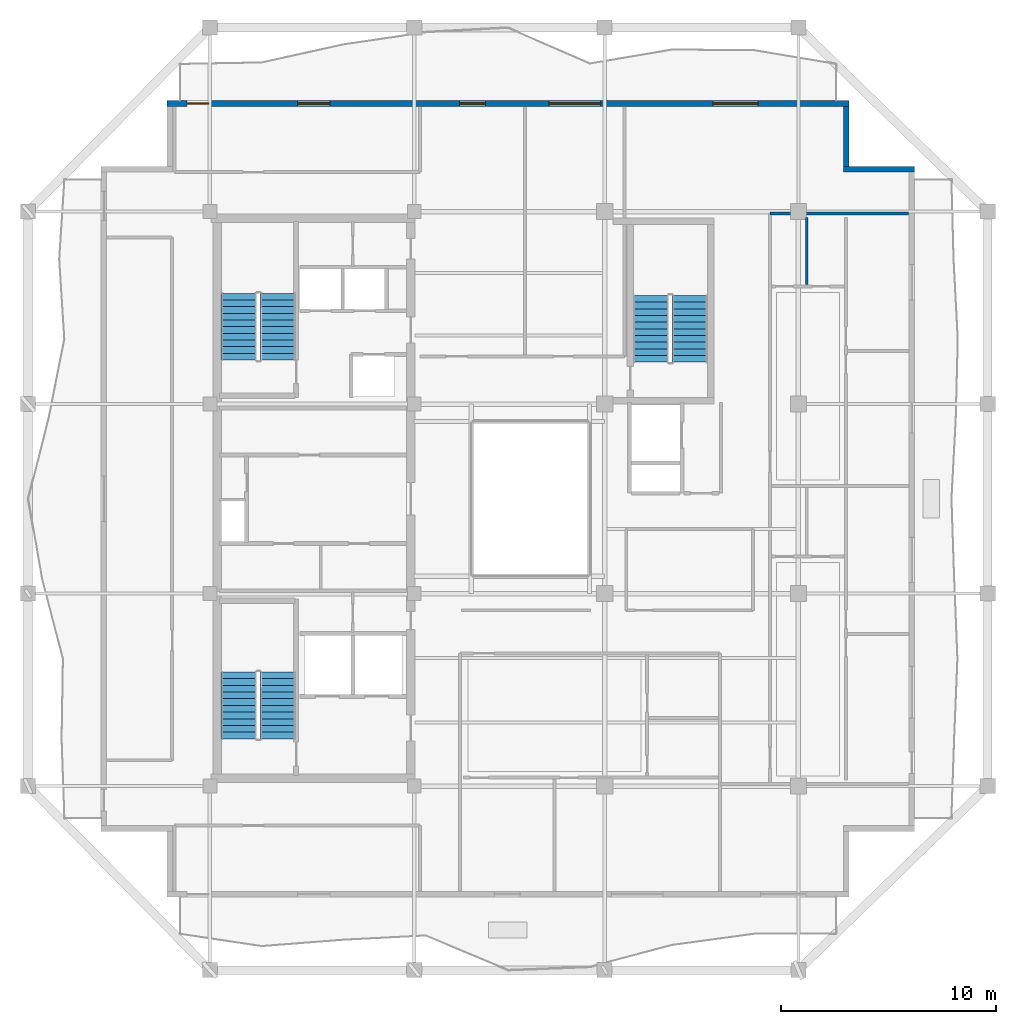
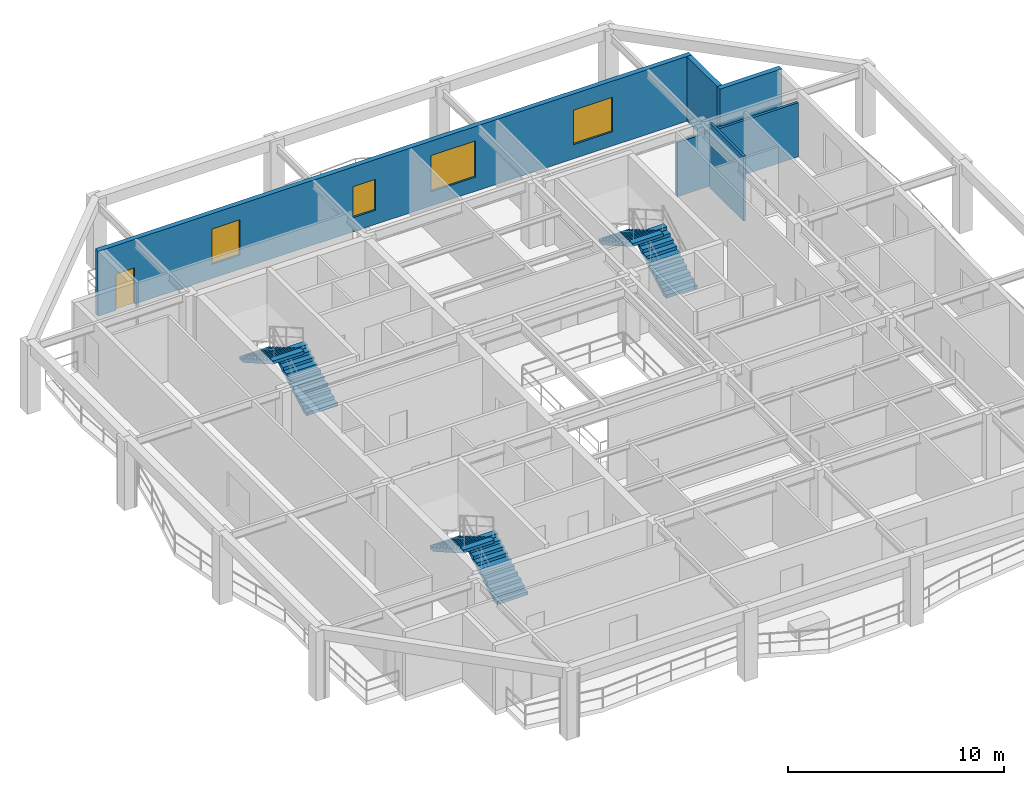
# One storey, part 6 of 10: 6 stair flights, 5 walls, 4 windows, 1 door, 5 openings, 3 elements without a shape of their own.
"""IFC4 building model written with IfcOpenShell, lengths in metres."""

from ifc_helpers import new_model, si_unit, direction, frame, frame_2d, origin, place, context, subcontext, project, spatial, polyline, rectangle, outline, extrude, material, layer, layer_set, type_object, element, fill, aggregate, save


model = new_model("IFC4")

# Units and contexts
model_context = context("Model", 3, precision=1e-05, world=origin(), true_north=direction((0.0, 1.0)))
body_context = subcontext(model_context, "Body", "Model", "MODEL_VIEW")
ifc_project = project(units=[si_unit("LENGTHUNIT", "METRE"), si_unit("AREAUNIT", "SQUARE_METRE"), si_unit("VOLUMEUNIT", "CUBIC_METRE"), si_unit("PLANEANGLEUNIT", "RADIAN"), si_unit("MASSUNIT", "GRAM", prefix="KILO")], contexts=[model_context])

# Site, building, storey
site_placement = place(None, origin())
site = spatial("IfcSite", under=ifc_project, at=site_placement, CompositionType="ELEMENT")
building_placement = place(site_placement, origin())
building = spatial("IfcBuilding", under=site, at=building_placement, Name="Kundavana Baori Tower", CompositionType="ELEMENT")
storey_placement = place(building_placement, frame((0.0, 0.0, 296.0)))
storey = spatial("IfcBuildingStorey", under=building, at=storey_placement, Name="L73", CompositionType="ELEMENT", Elevation=296.0)

# Walls
ifc_material_1 = material(Name="Kiln-Fired Terracotta Brick-Slip Masonry on Concrete C40/50", Category="masonry")
ifc_layer_1 = layer(ifc_material_1, 0.260009765625, Name="WL-EXT-BRK-260")
ifc_layer_set_1 = layer_set([ifc_layer_1], Name="Kiln-Fired Terracotta Brick-Slip Masonry on Concrete C40/50")
wall_type_1 = type_object("IfcWallType", Name="WL-EXT-BRK-260", PredefinedType="SOLIDWALL", material=ifc_layer_set_1)
wall_1_placement = place(storey_placement, frame((48.199951171875, 43.919921875, 0.0), z_axis=(0.0, 0.0, 1.0), x_axis=(-1.0, 0.0, 0.0)))
element("IfcWall", 1, at=wall_1_placement, inside=storey, type_object=wall_type_1, Name="L73 Exterior Insulated Facade Wall 05", PredefinedType="SOLIDWALL", context=body_context, shape_type="SweptSolid", body=[
    extrude(rectangle(XDim=3.31005859375, YDim=0.260009765625, at=frame_2d((1.655029296875, 0.0))), origin(), (0.0, 0.0, 1.0), 3.659912109375),
])
wall_2_placement = place(storey_placement, frame((45.02001953125, 44.050048828125, 0.0), z_axis=(0.0, 0.0, 1.0), x_axis=(0.0, 1.0, 0.0)))
element("IfcWall", 2, at=wall_2_placement, inside=storey, type_object=wall_type_1, Name="L73 Exterior Insulated Facade Wall 06", PredefinedType="SOLIDWALL", context=body_context, shape_type="SweptSolid", body=[
    extrude(rectangle(XDim=2.7900390625, YDim=0.260009765625, at=frame_2d((1.39501953125, 0.0))), origin(), (0.0, 0.0, 1.0), 3.659912109375),
])

# Wall, openings, door, windows
wall_3_placement = place(storey_placement, frame((45.14990234375, 46.969970703125, 0.0), z_axis=(0.0, 0.0, 1.0), x_axis=(-1.0, 0.0, 0.0)))
wall_3 = element("IfcWall", 3, at=wall_3_placement, inside=storey, type_object=wall_type_1, Name="L73 Exterior Insulated Facade Wall 07", PredefinedType="SOLIDWALL", context=body_context, shape_type="SweptSolid", body=[
    extrude(rectangle(XDim=31.699951171875, YDim=0.260009765625, at=frame_2d((15.85009765625, 0.0))), origin(), (0.0, 0.0, 1.0), 3.659912109375),
])
opening_1_placement = place(wall_3_placement, frame((29.75, 0.0, 0.0)))
opening_1 = element("IfcOpeningElement", 4, at=opening_1_placement, cuts=wall_3, Name="Opening BD-1", PredefinedType="OPENING", context=body_context, shape_type="SweptSolid", body=[
    extrude(rectangle(XDim=1.0, YDim=2.050048828125, at=frame_2d((0.5, 1.02490234375))), frame((0.0, 0.14013671875, 0.0), z_axis=(0.0, -1.0, 0.0), x_axis=(1.0, 0.0, 0.0)), (0.0, 0.0, 1.0), 0.280029296875),
])
opening_2_placement = place(wall_3_placement, frame((24.114990234375, 0.0, 0.800048828125)))
opening_2 = element("IfcOpeningElement", 5, at=opening_2_placement, cuts=wall_3, Name="Opening W-02", PredefinedType="OPENING", context=body_context, shape_type="SweptSolid", body=[
    extrude(rectangle(XDim=1.5, YDim=2.0, at=frame_2d((0.75, 1.0))), frame((0.0, 0.14013671875, 0.0), z_axis=(0.0, -1.0, 0.0), x_axis=(1.0, 0.0, 0.0)), (0.0, 0.0, 1.0), 0.280029296875),
])
opening_3_placement = place(wall_3_placement, frame((16.889892578125, 0.0, 0.800048828125)))
opening_3 = element("IfcOpeningElement", 6, at=opening_3_placement, cuts=wall_3, Name="Opening W-03", PredefinedType="OPENING", context=body_context, shape_type="SweptSolid", body=[
    extrude(rectangle(XDim=1.199951171875, YDim=1.75, at=frame_2d((0.60009765625, 0.875))), frame((0.0, 0.14013671875, 0.0), z_axis=(0.0, -1.0, 0.0), x_axis=(1.0, 0.0, 0.0)), (0.0, 0.0, 1.0), 0.280029296875),
])
opening_4_placement = place(wall_3_placement, frame((11.5400390625, 0.0, 0.800048828125)))
opening_4 = element("IfcOpeningElement", 7, at=opening_4_placement, cuts=wall_3, Name="Opening W-04", PredefinedType="OPENING", context=body_context, shape_type="SweptSolid", body=[
    extrude(rectangle(XDim=2.39990234375, YDim=2.050048828125, at=frame_2d((1.199951171875, 1.02490234375))), frame((0.0, 0.14013671875, 0.0), z_axis=(0.0, -1.0, 0.0), x_axis=(1.0, 0.0, 0.0)), (0.0, 0.0, 1.0), 0.280029296875),
])
opening_5_placement = place(wall_3_placement, frame((4.219970703125, 0.0, 0.800048828125)))
opening_5 = element("IfcOpeningElement", 8, at=opening_5_placement, cuts=wall_3, Name="Opening W-05", PredefinedType="OPENING", context=body_context, shape_type="SweptSolid", body=[
    extrude(rectangle(XDim=2.10009765625, YDim=1.949951171875, at=frame_2d((1.050048828125, 0.97509765625))), frame((0.0, 0.14013671875, 0.0), z_axis=(0.0, -1.0, 0.0), x_axis=(1.0, 0.0, 0.0)), (0.0, 0.0, 1.0), 0.280029296875),
])
ifc_material_2 = material(Name="Architectural Patinated Bronze Metalwork")
door_type = type_object("IfcDoorType", Name="DR-EXT-LOG-1000", OperationType="NOTDEFINED", PredefinedType="DOOR", material=ifc_material_2)
door_placement = place(opening_1_placement, frame((1.0, 0.0, 0.0), z_axis=(0.0, 0.0, 1.0), x_axis=(-1.0, 0.0, 0.0)))
door = element("IfcDoor", 9, at=door_placement, inside=storey, type_object=door_type, Name="L73 Loggia Balcony Access Door N", OperationType="SINGLE_SWING_LEFT", OverallHeight=2.050048828125, OverallWidth=1.0, PredefinedType="DOOR", context=body_context, shape_type="SweptSolid", body=[
    extrude(rectangle(XDim=1.0, YDim=2.050048828125, at=frame_2d((0.5, 1.02490234375))), frame((0.0, 0.02490234375, 0.0), z_axis=(0.0, -1.0, 0.0), x_axis=(1.0, 0.0, 0.0)), (0.0, 0.0, 1.0), 0.050048828125),
])
fill(opening_1, door)
ifc_material_3 = material(Name="Double-Glazed Solar-Control Low-E Insulated Glass", Category="glass")
window_type_1 = type_object("IfcWindowType", Name="WIN-LOG-1200x1750", PartitioningType="SINGLE_PANEL", PredefinedType="WINDOW", material=ifc_material_3)
window_1_placement = place(opening_3_placement, origin())
window_1 = element("IfcWindow", 10, at=window_1_placement, inside=storey, type_object=window_type_1, Name="L73 Recessed Loggia Window N-2", OverallHeight=1.75, OverallWidth=1.199951171875, PartitioningType="SINGLE_PANEL", PredefinedType="WINDOW", context=body_context, shape_type="SweptSolid", body=[
    extrude(rectangle(XDim=1.199951171875, YDim=1.75, at=frame_2d((0.60009765625, 0.875))), frame((0.0, 0.030029296875, 0.0), z_axis=(0.0, -1.0, 0.0), x_axis=(1.0, 0.0, 0.0)), (0.0, 0.0, 1.0), 0.06005859375),
])
fill(opening_3, window_1)
ifc_material_4 = material(Name="Double-Glazed Solar-Control Low-E Insulated Glass", Category="glass")
window_type_2 = type_object("IfcWindowType", Name="WIN-LOG-1500x2000", PartitioningType="SINGLE_PANEL", PredefinedType="WINDOW", material=ifc_material_4)
window_2_placement = place(opening_2_placement, origin())
window_2 = element("IfcWindow", 11, at=window_2_placement, inside=storey, type_object=window_type_2, Name="L73 Recessed Loggia Window N-1", OverallHeight=2.0, OverallWidth=1.5, PartitioningType="SINGLE_PANEL", PredefinedType="WINDOW", context=body_context, shape_type="SweptSolid", body=[
    extrude(rectangle(XDim=1.5, YDim=2.0, at=frame_2d((0.75, 1.0))), frame((0.0, 0.030029296875, 0.0), z_axis=(0.0, -1.0, 0.0), x_axis=(1.0, 0.0, 0.0)), (0.0, 0.0, 1.0), 0.06005859375),
])
fill(opening_2, window_2)
ifc_material_5 = material(Name="Double-Glazed Solar-Control Low-E Insulated Glass", Category="glass")
window_type_3 = type_object("IfcWindowType", Name="WIN-LOG-2100x1950", PartitioningType="SINGLE_PANEL", PredefinedType="WINDOW", material=ifc_material_5)
window_3_placement = place(opening_5_placement, origin())
window_3 = element("IfcWindow", 12, at=window_3_placement, inside=storey, type_object=window_type_3, Name="L73 Recessed Loggia Window N-4", OverallHeight=1.949951171875, OverallWidth=2.10009765625, PartitioningType="SINGLE_PANEL", PredefinedType="WINDOW", context=body_context, shape_type="SweptSolid", body=[
    extrude(rectangle(XDim=2.10009765625, YDim=1.949951171875, at=frame_2d((1.050048828125, 0.97509765625))), frame((0.0, 0.030029296875, 0.0), z_axis=(0.0, -1.0, 0.0), x_axis=(1.0, 0.0, 0.0)), (0.0, 0.0, 1.0), 0.06005859375),
])
fill(opening_5, window_3)
ifc_material_6 = material(Name="Double-Glazed Solar-Control Low-E Insulated Glass", Category="glass")
window_type_4 = type_object("IfcWindowType", Name="WIN-LOG-2400x2050", PartitioningType="SINGLE_PANEL", PredefinedType="WINDOW", material=ifc_material_6)
window_4_placement = place(opening_4_placement, origin())
window_4 = element("IfcWindow", 13, at=window_4_placement, inside=storey, type_object=window_type_4, Name="L73 Recessed Loggia Window N-3", OverallHeight=2.050048828125, OverallWidth=2.39990234375, PartitioningType="SINGLE_PANEL", PredefinedType="WINDOW", context=body_context, shape_type="SweptSolid", body=[
    extrude(rectangle(XDim=2.39990234375, YDim=2.050048828125, at=frame_2d((1.199951171875, 1.02490234375))), frame((0.0, 0.030029296875, 0.0), z_axis=(0.0, -1.0, 0.0), x_axis=(1.0, 0.0, 0.0)), (0.0, 0.0, 1.0), 0.06005859375),
])
fill(opening_4, window_4)

# Walls
ifc_material_7 = material(Name="Acoustic Gypsum Plasterboard on Galvanised Steel Studs", Category="steel")
ifc_layer_2 = layer(ifc_material_7, 0.135009765625, Name="WL-PART-135")
ifc_layer_set_2 = layer_set([ifc_layer_2], Name="Acoustic Gypsum Plasterboard on Galvanised Steel Studs")
wall_type_2 = type_object("IfcWallType", Name="WL-PART-135", PredefinedType="PARTITIONING", material=ifc_layer_set_2)
wall_4_placement = place(storey_placement, frame((41.47998046875, 41.85009765625, 0.0), z_axis=(0.0, 0.0, 1.0), x_axis=(1.0, 0.0, 0.0)))
element("IfcWall", 14, at=wall_4_placement, inside=storey, type_object=wall_type_2, Name="WL-L73-REN", PredefinedType="PARTITIONING", context=body_context, shape_type="SweptSolid", body=[
    extrude(rectangle(XDim=6.43994140625, YDim=0.135009765625, at=frame_2d((3.219970703125, 0.0))), origin(), (0.0, 0.0, 1.0), 3.06005859375),
])
ifc_material_8 = material(Name="Autoclaved Aerated Concrete Blockwork Masonry", Category="masonry")
ifc_layer_3 = layer(ifc_material_8, 0.125, Name="WL-WET-120")
ifc_layer_set_3 = layer_set([ifc_layer_3], Name="Autoclaved Aerated Concrete Blockwork Masonry")
wall_type_3 = type_object("IfcWallType", Name="WL-WET-120", PredefinedType="PLUMBINGWALL", material=ifc_layer_set_3)
wall_5_placement = place(storey_placement, frame((43.18505859375, 38.550048828125, 0.0), z_axis=(0.0, 0.0, 1.0), x_axis=(0.0, 1.0, 0.0)))
element("IfcWall", 15, at=wall_5_placement, inside=storey, type_object=wall_type_3, Name="WL-L73-E2-BV", PredefinedType="PLUMBINGWALL", context=body_context, shape_type="SweptSolid", body=[
    extrude(rectangle(XDim=3.119873046875, YDim=0.125, at=frame_2d((1.56005859375, 0.0))), origin(), (0.0, 0.0, 1.0), 3.659912109375),
])

# Stair, stair flights
ifc_material_9 = material(Name="Concrete C40/50", Category="concrete")
stair_type = type_object("IfcStairType", Name="STR-DOG-1650", PredefinedType="HALF_TURN_STAIR", material=ifc_material_9)
stair_1_placement = place(storey_placement, origin())
stair_1 = element("IfcStair", 16, at=stair_1_placement, inside=storey, type_object=stair_type, Name="L73 Protected Exit Stair ST1", PredefinedType="HALF_TURN_STAIR")
ifc_material_10 = material(Name="Concrete C40/50", Category="concrete")
stair_flight_type = type_object("IfcStairFlightType", Name="SFL-RC-1650", PredefinedType="STRAIGHT", material=ifc_material_10)
stair_flight_1_placement = place(storey_placement, frame((18.614990234375, 17.449951171875, 0.0), z_axis=(0.0, 0.0, 1.0), x_axis=(0.0, 1.0, 0.0)))
stair_flight_1 = element("IfcStairFlight", 17, at=stair_flight_1_placement, type_object=stair_flight_type, Name="ST1 flight 1", NumberOfRisers=11, NumberOfTreads=10, PredefinedType="STRAIGHT", RiserHeight=0.177272727, TreadLength=0.31, context=body_context, shape_type="SweptSolid", body=[
    extrude(outline(polyline([(0.0, 0.0), (0.0, 0.17724609375), (0.31005859375, 0.17724609375), (0.31005859375, 0.3544921875), (0.6201171875, 0.3544921875), (0.6201171875, 0.53173828125), (0.929931640625, 0.53173828125), (0.929931640625, 0.708984375), (1.239990234375, 0.708984375), (1.239990234375, 0.886474609375), (1.550048828125, 0.886474609375), (1.550048828125, 1.063720703125), (1.860107421875, 1.063720703125), (1.860107421875, 1.240966796875), (2.169921875, 1.240966796875), (2.169921875, 1.418212890625), (2.47998046875, 1.418212890625), (2.47998046875, 1.595458984375), (2.7900390625, 1.595458984375), (2.7900390625, 1.772705078125), (3.10009765625, 1.772705078125), (3.10009765625, 1.949951171875), (3.10009765625, 1.60009765625), (0.302001953125, 0.0), (0.0, 0.0)])), frame((0.0, 0.824951171875, 0.0), z_axis=(0.0, -1.0, 0.0), x_axis=(1.0, 0.0, 0.0)), (0.0, 0.0, 1.0), 1.64990234375),
])
stair_flight_2_placement = place(storey_placement, frame((16.804931640625, 20.550048828125, 1.949951171875), z_axis=(0.0, 0.0, 1.0), x_axis=(0.0, -1.0, 0.0)))
stair_flight_2 = element("IfcStairFlight", 18, at=stair_flight_2_placement, type_object=stair_flight_type, Name="ST1 flight 2", NumberOfRisers=11, NumberOfTreads=10, PredefinedType="STRAIGHT", RiserHeight=0.177272727, TreadLength=0.31, context=body_context, shape_type="SweptSolid", body=[
    extrude(outline(polyline([(0.0, 0.0), (0.0, 0.17724609375), (0.31005859375, 0.17724609375), (0.31005859375, 0.3544921875), (0.6201171875, 0.3544921875), (0.6201171875, 0.53173828125), (0.929931640625, 0.53173828125), (0.929931640625, 0.708984375), (1.239990234375, 0.708984375), (1.239990234375, 0.886474609375), (1.550048828125, 0.886474609375), (1.550048828125, 1.063720703125), (1.860107421875, 1.063720703125), (1.860107421875, 1.240966796875), (2.169921875, 1.240966796875), (2.169921875, 1.418212890625), (2.47998046875, 1.418212890625), (2.47998046875, 1.595458984375), (2.7900390625, 1.595458984375), (2.7900390625, 1.772705078125), (3.10009765625, 1.772705078125), (3.10009765625, 1.949951171875), (3.10009765625, 1.60009765625), (0.302001953125, 0.0), (0.0, 0.0)])), frame((0.0, 0.824951171875, 0.0), z_axis=(0.0, -1.0, 0.0), x_axis=(1.0, 0.0, 0.0)), (0.0, 0.0, 1.0), 1.64990234375),
])
aggregate(stair_1, [stair_flight_1, stair_flight_2])

stair_2_placement = place(storey_placement, origin())
stair_2 = element("IfcStair", 19, at=stair_2_placement, inside=storey, type_object=stair_type, Name="L73 Protected Exit Stair ST2", PredefinedType="HALF_TURN_STAIR")
stair_flight_3_placement = place(storey_placement, frame((18.614990234375, 35.050048828125, 0.0), z_axis=(0.0, 0.0, 1.0), x_axis=(0.0, 1.0, 0.0)))
stair_flight_3 = element("IfcStairFlight", 20, at=stair_flight_3_placement, type_object=stair_flight_type, Name="ST2 flight 1", NumberOfRisers=11, NumberOfTreads=10, PredefinedType="STRAIGHT", RiserHeight=0.177272727, TreadLength=0.31, context=body_context, shape_type="SweptSolid", body=[
    extrude(outline(polyline([(0.0, 0.0), (0.0, 0.17724609375), (0.31005859375, 0.17724609375), (0.31005859375, 0.3544921875), (0.6201171875, 0.3544921875), (0.6201171875, 0.53173828125), (0.929931640625, 0.53173828125), (0.929931640625, 0.708984375), (1.239990234375, 0.708984375), (1.239990234375, 0.886474609375), (1.550048828125, 0.886474609375), (1.550048828125, 1.063720703125), (1.860107421875, 1.063720703125), (1.860107421875, 1.240966796875), (2.169921875, 1.240966796875), (2.169921875, 1.418212890625), (2.47998046875, 1.418212890625), (2.47998046875, 1.595458984375), (2.7900390625, 1.595458984375), (2.7900390625, 1.772705078125), (3.10009765625, 1.772705078125), (3.10009765625, 1.949951171875), (3.10009765625, 1.60009765625), (0.302001953125, 0.0), (0.0, 0.0)])), frame((0.0, 0.824951171875, 0.0), z_axis=(0.0, -1.0, 0.0), x_axis=(1.0, 0.0, 0.0)), (0.0, 0.0, 1.0), 1.64990234375),
])
stair_flight_4_placement = place(storey_placement, frame((16.804931640625, 38.14990234375, 1.949951171875), z_axis=(0.0, 0.0, 1.0), x_axis=(0.0, -1.0, 0.0)))
stair_flight_4 = element("IfcStairFlight", 21, at=stair_flight_4_placement, type_object=stair_flight_type, Name="ST2 flight 2", NumberOfRisers=11, NumberOfTreads=10, PredefinedType="STRAIGHT", RiserHeight=0.177272727, TreadLength=0.31, context=body_context, shape_type="SweptSolid", body=[
    extrude(outline(polyline([(0.0, 0.0), (0.0, 0.17724609375), (0.31005859375, 0.17724609375), (0.31005859375, 0.3544921875), (0.6201171875, 0.3544921875), (0.6201171875, 0.53173828125), (0.929931640625, 0.53173828125), (0.929931640625, 0.708984375), (1.239990234375, 0.708984375), (1.239990234375, 0.886474609375), (1.550048828125, 0.886474609375), (1.550048828125, 1.063720703125), (1.860107421875, 1.063720703125), (1.860107421875, 1.240966796875), (2.169921875, 1.240966796875), (2.169921875, 1.418212890625), (2.47998046875, 1.418212890625), (2.47998046875, 1.595458984375), (2.7900390625, 1.595458984375), (2.7900390625, 1.772705078125), (3.10009765625, 1.772705078125), (3.10009765625, 1.949951171875), (3.10009765625, 1.60009765625), (0.302001953125, 0.0), (0.0, 0.0)])), frame((0.0, 0.824951171875, 0.0), z_axis=(0.0, -1.0, 0.0), x_axis=(1.0, 0.0, 0.0)), (0.0, 0.0, 1.0), 1.64990234375),
])
aggregate(stair_2, [stair_flight_3, stair_flight_4])

stair_3_placement = place(storey_placement, origin())
stair_3 = element("IfcStair", 22, at=stair_3_placement, inside=storey, type_object=stair_type, Name="L73 Protected Exit Stair ST3", PredefinedType="HALF_TURN_STAIR")
stair_flight_5_placement = place(storey_placement, frame((37.7548828125, 34.949951171875, 0.0), z_axis=(0.0, 0.0, 1.0), x_axis=(0.0, 1.0, 0.0)))
stair_flight_5 = element("IfcStairFlight", 23, at=stair_flight_5_placement, type_object=stair_flight_type, Name="ST3 flight 1", NumberOfRisers=11, NumberOfTreads=10, PredefinedType="STRAIGHT", RiserHeight=0.177272727, TreadLength=0.31, context=body_context, shape_type="SweptSolid", body=[
    extrude(outline(polyline([(0.0, 0.0), (0.0, 0.17724609375), (0.31005859375, 0.17724609375), (0.31005859375, 0.3544921875), (0.6201171875, 0.3544921875), (0.6201171875, 0.53173828125), (0.929931640625, 0.53173828125), (0.929931640625, 0.708984375), (1.239990234375, 0.708984375), (1.239990234375, 0.886474609375), (1.550048828125, 0.886474609375), (1.550048828125, 1.063720703125), (1.860107421875, 1.063720703125), (1.860107421875, 1.240966796875), (2.169921875, 1.240966796875), (2.169921875, 1.418212890625), (2.47998046875, 1.418212890625), (2.47998046875, 1.595458984375), (2.7900390625, 1.595458984375), (2.7900390625, 1.772705078125), (3.10009765625, 1.772705078125), (3.10009765625, 1.949951171875), (3.10009765625, 1.60009765625), (0.302001953125, 0.0), (0.0, 0.0)])), frame((0.0, 0.824951171875, 0.0), z_axis=(0.0, -1.0, 0.0), x_axis=(1.0, 0.0, 0.0)), (0.0, 0.0, 1.0), 1.64990234375),
])
stair_flight_6_placement = place(storey_placement, frame((35.945068359375, 38.050048828125, 1.949951171875), z_axis=(0.0, 0.0, 1.0), x_axis=(0.0, -1.0, 0.0)))
stair_flight_6 = element("IfcStairFlight", 24, at=stair_flight_6_placement, type_object=stair_flight_type, Name="ST3 flight 2", NumberOfRisers=11, NumberOfTreads=10, PredefinedType="STRAIGHT", RiserHeight=0.177272727, TreadLength=0.31, context=body_context, shape_type="SweptSolid", body=[
    extrude(outline(polyline([(0.0, 0.0), (0.0, 0.17724609375), (0.31005859375, 0.17724609375), (0.31005859375, 0.3544921875), (0.6201171875, 0.3544921875), (0.6201171875, 0.53173828125), (0.929931640625, 0.53173828125), (0.929931640625, 0.708984375), (1.239990234375, 0.708984375), (1.239990234375, 0.886474609375), (1.550048828125, 0.886474609375), (1.550048828125, 1.063720703125), (1.860107421875, 1.063720703125), (1.860107421875, 1.240966796875), (2.169921875, 1.240966796875), (2.169921875, 1.418212890625), (2.47998046875, 1.418212890625), (2.47998046875, 1.595458984375), (2.7900390625, 1.595458984375), (2.7900390625, 1.772705078125), (3.10009765625, 1.772705078125), (3.10009765625, 1.949951171875), (3.10009765625, 1.60009765625), (0.302001953125, 0.0), (0.0, 0.0)])), frame((0.0, 0.824951171875, 0.0), z_axis=(0.0, -1.0, 0.0), x_axis=(1.0, 0.0, 0.0)), (0.0, 0.0, 1.0), 1.64990234375),
])
aggregate(stair_3, [stair_flight_5, stair_flight_6])

save(model, "model.ifc")
